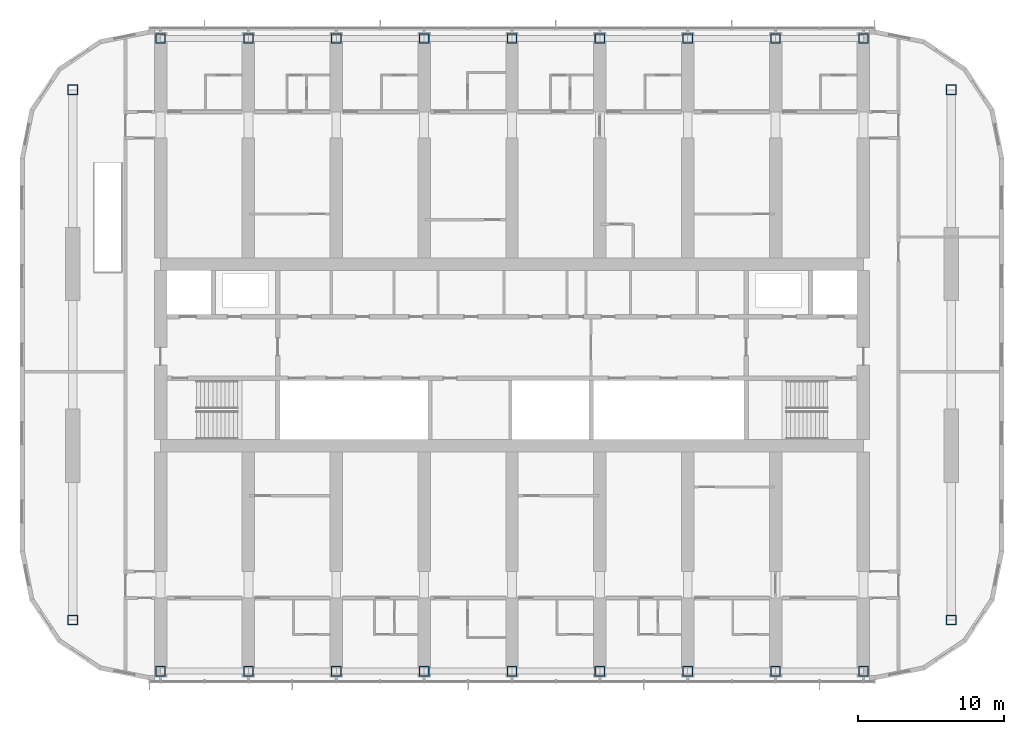
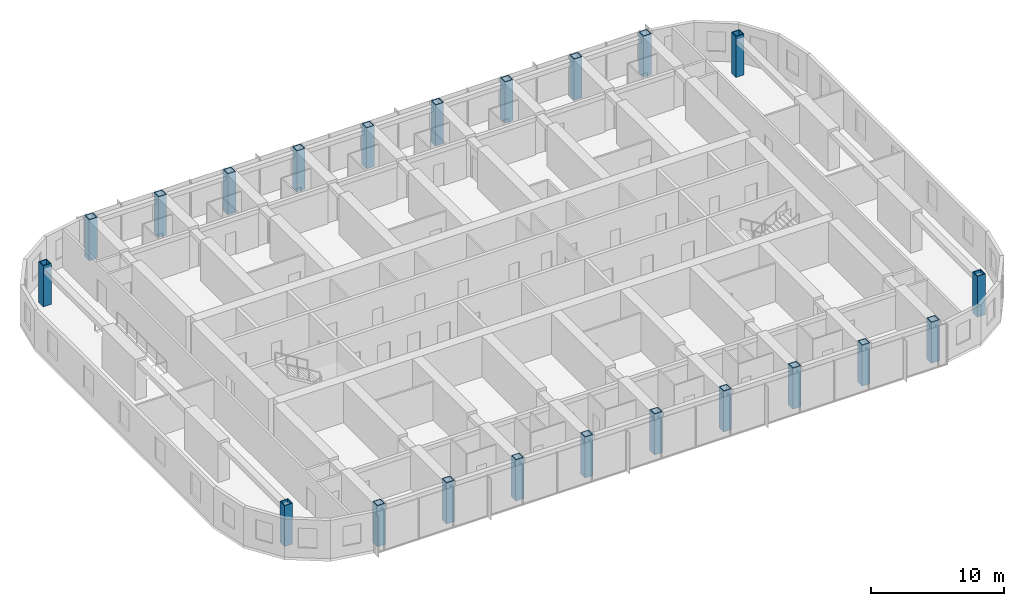
# One storey, part 1 of 22: 22 columns.
"""IFC4 building model written with IfcOpenShell, lengths in metres."""

from ifc_helpers import new_model, si_unit, direction, frame, origin, origin_2d, place, context, subcontext, project, spatial, hollow_rectangle, extrude, material, material_profile, profile_set, type_object, element, save


model = new_model("IFC4")

# Units and contexts
model_context = context("Model", 3, precision=1e-05, world=origin(), true_north=direction((0.0, 1.0)))
body_context = subcontext(model_context, "Body", "Model", "MODEL_VIEW")
ifc_project = project(units=[si_unit("LENGTHUNIT", "METRE"), si_unit("AREAUNIT", "SQUARE_METRE"), si_unit("VOLUMEUNIT", "CUBIC_METRE"), si_unit("PLANEANGLEUNIT", "RADIAN"), si_unit("MASSUNIT", "GRAM", prefix="KILO")], contexts=[model_context])

# Site, building, storey
site_placement = place(None, origin())
site = spatial("IfcSite", under=ifc_project, at=site_placement, CompositionType="ELEMENT")
building_placement = place(site_placement, origin())
building = spatial("IfcBuilding", under=site, at=building_placement, Name="Orbita Commons", CompositionType="ELEMENT")
storey_placement = place(building_placement, frame((0.0, 0.0, 152.35009765625)))
storey = spatial("IfcBuildingStorey", under=building, at=storey_placement, Name="L37", CompositionType="ELEMENT", Elevation=152.35009765625)

# Columns
ifc_material = material(Name="Steel ASTM A572 Gr 50 welded plate", Category="steel")
ifc_material_profile = material_profile(ifc_material, hollow_rectangle(XDim=0.699951171875, YDim=0.699951171875, WallThickness=0.070068359375, at=origin_2d()), Name="BOX 700x700x70")
ifc_profile_set = profile_set([ifc_material_profile], Name="Steel ASTM A572 Gr 50 welded plate")
column_type = type_object("IfcColumnType", Name="Steel column BOX 700x700x70", PredefinedType="COLUMN", material=ifc_profile_set)
for number, where, z_axis, x_axis, name in (
    (1, (18.0, 10.39990234375, 0.0), (0.0, 0.0, 1.0), (1.0, 0.0, 0.0), "Column 4/B L37"),
    (2, (18.0, 53.60009765625, 0.0), (0.0, 0.0, 1.0), (1.0, 0.0, 0.0), "Column 4/E L37"),
    (3, (24.0, 10.39990234375, 0.0), (0.0, 0.0, 1.0), (1.0, 0.0, 0.0), "Column 5/B L37"),
    (4, (24.0, 53.60009765625, 0.0), (0.0, 0.0, 1.0), (1.0, 0.0, 0.0), "Column 5/E L37"),
    (5, (30.0, 10.39990234375, 0.0), (0.0, 0.0, 1.0), (1.0, 0.0, 0.0), "Column 6/B L37"),
    (6, (30.0, 53.60009765625, 0.0), (0.0, 0.0, 1.0), (1.0, 0.0, 0.0), "Column 6/E L37"),
    (7, (36.0, 10.39990234375, 0.0), (0.0, 0.0, 1.0), (1.0, 0.0, 0.0), "Column 7/B L37"),
    (8, (36.0, 53.60009765625, 0.0), (0.0, 0.0, 1.0), (1.0, 0.0, 0.0), "Column 7/E L37"),
    (9, (42.0, 10.39990234375, 0.0), (0.0, 0.0, 1.0), (1.0, 0.0, 0.0), "Column 8/B L37"),
    (10, (42.0, 53.60009765625, 0.0), (0.0, 0.0, 1.0), (1.0, 0.0, 0.0), "Column 8/E L37"),
    (11, (48.0, 10.39990234375, 0.0), (0.0, 0.0, 1.0), (1.0, 0.0, 0.0), "Column 9/B L37"),
    (12, (48.0, 53.60009765625, 0.0), (0.0, 0.0, 1.0), (1.0, 0.0, 0.0), "Column 9/E L37"),
    (13, (54.0, 10.39990234375, 0.0), (0.0, 0.0, 1.0), (1.0, 0.0, 0.0), "Column 10/B L37"),
    (14, (54.0, 53.60009765625, 0.0), (0.0, 0.0, 1.0), (1.0, 0.0, 0.0), "Column 10/E L37"),
    (15, (60.0, 10.39990234375, 0.0), (0.0, 0.0, 1.0), (1.0, 0.0, 0.0), "Column 11/B L37"),
    (16, (60.0, 53.60009765625, 0.0), (0.0, 0.0, 1.0), (1.0, 0.0, 0.0), "Column 11/E L37"),
    (17, (66.0, 10.39990234375, 0.0), (0.0, 0.0, 1.0), (1.0, 0.0, 0.0), "Column 12/B L37"),
    (18, (66.0, 53.60009765625, 0.0), (0.0, 0.0, 1.0), (1.0, 0.0, 0.0), "Column 12/E L37"),
    (19, (12.0, 13.89990234375, 0.0), (0.0, 0.0, 1.0), (1.0, 0.0, 0.0), "Column 3/13.9 L37"),
    (20, (12.0, 50.10009765625, 0.0), (0.0, 0.0, 1.0), (1.0, 0.0, 0.0), "Column 3/50.1 L37"),
    (21, (72.0, 13.89990234375, 0.0), (0.0, 0.0, 1.0), (1.0, 0.0, 0.0), "Column 13/13.9 L37"),
    (22, (72.0, 50.10009765625, 0.0), (0.0, 0.0, 1.0), (1.0, 0.0, 0.0), "Column 13/50.1 L37"),
):
    element("IfcColumn", number, at=place(storey_placement, frame(where, z_axis=z_axis, x_axis=x_axis)), inside=storey, type_object=column_type, Name=name, PredefinedType="COLUMN", context=body_context, shape_type="SweptSolid", body=[
        extrude(hollow_rectangle(XDim=0.699951171875, YDim=0.699951171875, WallThickness=0.070068359375, at=origin_2d()), origin(), (0.0, 0.0, 1.0), 3.75),
    ])

save(model, "model.ifc")
